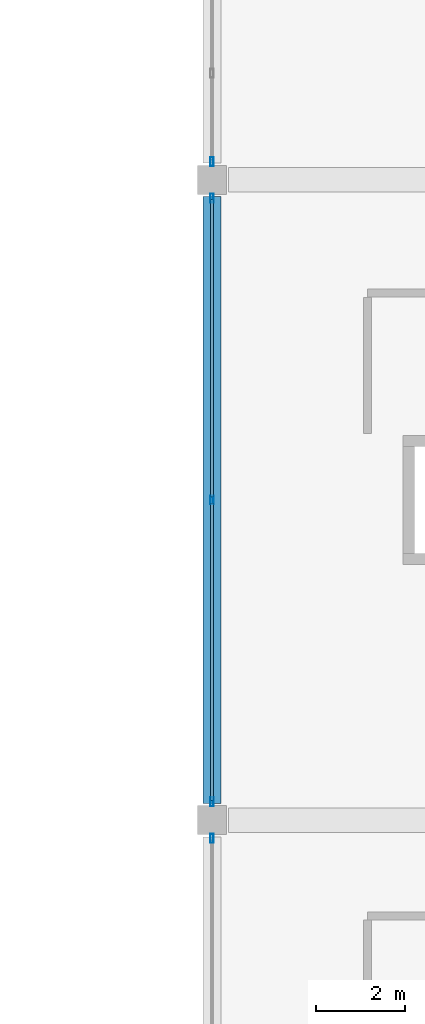
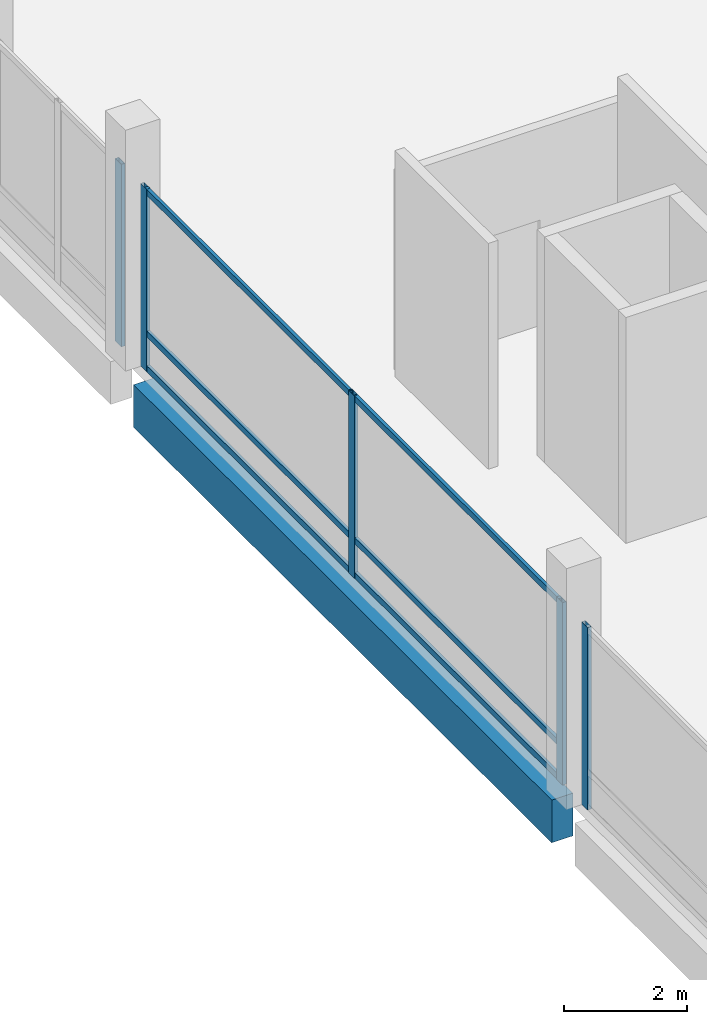
# One storey, part 104 of 220: 11 members, 1 beam, 3 elements without a shape of their own.
"""IFC4 building model written with IfcOpenShell, lengths in metres."""

from ifc_helpers import new_model, si_unit, direction, frame, origin, origin_2d, place, context, subcontext, project, spatial, rectangle, hollow_rectangle, extrude, material, material_profile, profile_set, type_object, element, aggregate, save


model = new_model("IFC4")

# Units and contexts
model_context = context("Model", 3, precision=1e-05, world=origin(), true_north=direction((0.0, 1.0)))
body_context = subcontext(model_context, "Body", "Model", "MODEL_VIEW")
ifc_project = project(units=[si_unit("LENGTHUNIT", "METRE"), si_unit("AREAUNIT", "SQUARE_METRE"), si_unit("VOLUMEUNIT", "CUBIC_METRE"), si_unit("PLANEANGLEUNIT", "RADIAN"), si_unit("MASSUNIT", "GRAM", prefix="KILO")], contexts=[model_context])

# Site, building, storey
site_placement = place(None, origin())
site = spatial("IfcSite", under=ifc_project, at=site_placement, CompositionType="ELEMENT")
building_placement = place(site_placement, origin())
building = spatial("IfcBuilding", under=site, at=building_placement, Name="Cendralis Lancet Convention Centre", CompositionType="ELEMENT")
storey_placement = place(building_placement, frame((0.0, 0.0, 5.39990234375)))
storey = spatial("IfcBuildingStorey", under=building, at=storey_placement, Name="L01", CompositionType="ELEMENT", Elevation=5.39990234375)

# Curtain wall, member
ifc_material_1 = material(Name="Anodised bronze architectural aluminium", Category="aluminium")
curtain_wall_type = type_object("IfcCurtainWallType", Name="ARC-CW-PL01", PredefinedType="USERDEFINED", material=ifc_material_1)
curtain_wall_1_placement = place(storey_placement, origin())
curtain_wall_1 = element("IfcCurtainWall", 1, at=curtain_wall_1_placement, inside=storey, type_object=curtain_wall_type, Name="L01 Curtain Wall CW-PL1 #117", ObjectType="CURTAIN WALL", PredefinedType="USERDEFINED")
ifc_material_profile_1 = material_profile(ifc_material_1, hollow_rectangle(XDim=0.070068359375, YDim=0.199951171875, WallThickness=0.0048828125, at=origin_2d()), Name="AL-MULL 70x200x5.0")
ifc_profile_set_1 = profile_set([ifc_material_profile_1], Name="Anodised bronze architectural aluminium")
member_type_1 = type_object("IfcMemberType", Name="ARC-CW-ML02", PredefinedType="MULLION", material=ifc_profile_set_1)
member_1_placement = place(storey_placement, frame((139.199951171875, 64.389892578125, 0.0), z_axis=(0.0, 0.0, 1.0), x_axis=(1.0, 0.0, 0.0)))
member_1 = element("IfcMember", 2, at=member_1_placement, type_object=member_type_1, Name="Mullion CW2-CW-PL1-L01-117-M2", PredefinedType="MULLION", context=body_context, shape_type="SweptSolid", body=[
    extrude(hollow_rectangle(XDim=0.070068359375, YDim=0.199951171875, WallThickness=0.0048828125, at=origin_2d()), origin(), (0.0, 0.0, 1.0), 3.635009765625),
])
aggregate(curtain_wall_1, [member_1])

# Curtain wall, members
curtain_wall_2_placement = place(storey_placement, origin())
curtain_wall_2 = element("IfcCurtainWall", 3, at=curtain_wall_2_placement, inside=storey, type_object=curtain_wall_type, Name="L01 Curtain Wall CW-PL1 #118", ObjectType="CURTAIN WALL", PredefinedType="USERDEFINED")
member_2_placement = place(storey_placement, frame((139.199951171875, 65.2099609375, 0.0), z_axis=(0.0, 0.0, 1.0), x_axis=(1.0, 0.0, 0.0)))
member_2 = element("IfcMember", 4, at=member_2_placement, type_object=member_type_1, Name="Mullion CW2-CW-PL1-L01-118-M0", PredefinedType="MULLION", context=body_context, shape_type="SweptSolid", body=[
    extrude(hollow_rectangle(XDim=0.070068359375, YDim=0.199951171875, WallThickness=0.0048828125, at=origin_2d()), origin(), (0.0, 0.0, 1.0), 3.635009765625),
])
member_3_placement = place(storey_placement, frame((139.199951171875, 72.0, 0.0), z_axis=(0.0, 0.0, 1.0), x_axis=(1.0, 0.0, 0.0)))
member_3 = element("IfcMember", 5, at=member_3_placement, type_object=member_type_1, Name="Mullion CW2-CW-PL1-L01-118-M1", PredefinedType="MULLION", context=body_context, shape_type="SweptSolid", body=[
    extrude(hollow_rectangle(XDim=0.070068359375, YDim=0.199951171875, WallThickness=0.0048828125, at=origin_2d()), origin(), (0.0, 0.0, 1.0), 3.635009765625),
])
member_4_placement = place(storey_placement, frame((139.199951171875, 78.7900390625, 0.0), z_axis=(0.0, 0.0, 1.0), x_axis=(1.0, 0.0, 0.0)))
member_4 = element("IfcMember", 6, at=member_4_placement, type_object=member_type_1, Name="Mullion CW2-CW-PL1-L01-118-M2", PredefinedType="MULLION", context=body_context, shape_type="SweptSolid", body=[
    extrude(hollow_rectangle(XDim=0.070068359375, YDim=0.199951171875, WallThickness=0.0048828125, at=origin_2d()), origin(), (0.0, 0.0, 1.0), 3.635009765625),
])

# Curtain wall, member
curtain_wall_3_placement = place(storey_placement, origin())
curtain_wall_3 = element("IfcCurtainWall", 7, at=curtain_wall_3_placement, inside=storey, type_object=curtain_wall_type, Name="L01 Curtain Wall CW-PL1 #119", ObjectType="CURTAIN WALL", PredefinedType="USERDEFINED")
member_5_placement = place(storey_placement, frame((139.199951171875, 79.610107421875, 0.0), z_axis=(0.0, 0.0, 1.0), x_axis=(1.0, 0.0, 0.0)))
member_5 = element("IfcMember", 8, at=member_5_placement, type_object=member_type_1, Name="Mullion CW2-CW-PL1-L01-119-M0", PredefinedType="MULLION", context=body_context, shape_type="SweptSolid", body=[
    extrude(hollow_rectangle(XDim=0.070068359375, YDim=0.199951171875, WallThickness=0.0048828125, at=origin_2d()), origin(), (0.0, 0.0, 1.0), 3.635009765625),
])
aggregate(curtain_wall_3, [member_5])

# Member
ifc_material_profile_2 = material_profile(ifc_material_1, hollow_rectangle(XDim=0.06005859375, YDim=0.1201171875, WallThickness=0.00390625, at=origin_2d()), Name="AL-TRAN 60x120x4.0")
ifc_profile_set_2 = profile_set([ifc_material_profile_2], Name="Anodised bronze architectural aluminium")
member_type_2 = type_object("IfcMemberType", Name="ARC-CW-TR01", PredefinedType="USERDEFINED", material=ifc_profile_set_2)
member_6_placement = place(storey_placement, frame((139.199951171875, 65.2451171875, 0.06005859375), z_axis=(0.0, 1.0, 0.0), x_axis=(-1.0, 0.0, 0.0)))
member_6 = element("IfcMember", 9, at=member_6_placement, type_object=member_type_2, Name="Transom CW2-CW-PL1-L01-118-T0BOT", ObjectType="TRANSOM", PredefinedType="USERDEFINED", context=body_context, shape_type="SweptSolid", body=[
    extrude(hollow_rectangle(XDim=0.06005859375, YDim=0.1201171875, WallThickness=0.00390625, at=origin_2d()), origin(), (0.0, 0.0, 1.0), 6.684814453125),
])

member_7_placement = place(storey_placement, frame((139.199951171875, 65.2451171875, 0.75), z_axis=(0.0, 1.0, 0.0), x_axis=(-1.0, 0.0, 0.0)))
member_7 = element("IfcMember", 10, at=member_7_placement, type_object=member_type_2, Name="Transom CW2-CW-PL1-L01-118-T0MID", ObjectType="TRANSOM", PredefinedType="USERDEFINED", context=body_context, shape_type="SweptSolid", body=[
    extrude(hollow_rectangle(XDim=0.06005859375, YDim=0.1201171875, WallThickness=0.00390625, at=origin_2d()), origin(), (0.0, 0.0, 1.0), 6.684814453125),
])

member_8_placement = place(storey_placement, frame((139.199951171875, 65.2451171875, 3.5751953125), z_axis=(0.0, 1.0, 0.0), x_axis=(-1.0, 0.0, 0.0)))
member_8 = element("IfcMember", 11, at=member_8_placement, type_object=member_type_2, Name="Transom CW2-CW-PL1-L01-118-T0TOP", ObjectType="TRANSOM", PredefinedType="USERDEFINED", context=body_context, shape_type="SweptSolid", body=[
    extrude(hollow_rectangle(XDim=0.06005859375, YDim=0.1201171875, WallThickness=0.00390625, at=origin_2d()), origin(), (0.0, 0.0, 1.0), 6.684814453125),
])

member_9_placement = place(storey_placement, frame((139.199951171875, 72.070068359375, 0.06005859375), z_axis=(0.0, 1.0, 0.0), x_axis=(-1.0, 0.0, 0.0)))
member_9 = element("IfcMember", 12, at=member_9_placement, type_object=member_type_2, Name="Transom CW2-CW-PL1-L01-118-T1BOT", ObjectType="TRANSOM", PredefinedType="USERDEFINED", context=body_context, shape_type="SweptSolid", body=[
    extrude(hollow_rectangle(XDim=0.06005859375, YDim=0.1201171875, WallThickness=0.00390625, at=origin_2d()), origin(), (0.0, 0.0, 1.0), 6.684814453125),
])

member_10_placement = place(storey_placement, frame((139.199951171875, 72.070068359375, 0.75), z_axis=(0.0, 1.0, 0.0), x_axis=(-1.0, 0.0, 0.0)))
member_10 = element("IfcMember", 13, at=member_10_placement, type_object=member_type_2, Name="Transom CW2-CW-PL1-L01-118-T1MID", ObjectType="TRANSOM", PredefinedType="USERDEFINED", context=body_context, shape_type="SweptSolid", body=[
    extrude(hollow_rectangle(XDim=0.06005859375, YDim=0.1201171875, WallThickness=0.00390625, at=origin_2d()), origin(), (0.0, 0.0, 1.0), 6.684814453125),
])

member_11_placement = place(storey_placement, frame((139.199951171875, 72.070068359375, 3.5751953125), z_axis=(0.0, 1.0, 0.0), x_axis=(-1.0, 0.0, 0.0)))
member_11 = element("IfcMember", 14, at=member_11_placement, type_object=member_type_2, Name="Transom CW2-CW-PL1-L01-118-T1TOP", ObjectType="TRANSOM", PredefinedType="USERDEFINED", context=body_context, shape_type="SweptSolid", body=[
    extrude(hollow_rectangle(XDim=0.06005859375, YDim=0.1201171875, WallThickness=0.00390625, at=origin_2d()), origin(), (0.0, 0.0, 1.0), 6.684814453125),
])

aggregate(curtain_wall_2, [member_2, member_3, member_4, member_6, member_7, member_8, member_9, member_10, member_11])

# Beam
ifc_material_2 = material(Name="Concrete G40 (C40/50)", Category="concrete")
ifc_material_profile_3 = material_profile(ifc_material_2, rectangle(XDim=0.39990234375, YDim=0.85009765625, at=origin_2d()), Name="RCB 400x850")
ifc_profile_set_3 = profile_set([ifc_material_profile_3], Name="Concrete G40 (C40/50)")
beam_type = type_object("IfcBeamType", Name="STR-SP-SP02", PredefinedType="SPANDREL", material=ifc_profile_set_3)
beam_placement = place(storey_placement, frame((139.199951171875, 65.175048828125, -0.704833984375), z_axis=(0.0, 1.0, 0.0), x_axis=(-1.0, 0.0, 0.0)))
element("IfcBeam", 15, at=beam_placement, inside=storey, type_object=beam_type, Name="L01 Beam SP02 #1424", PredefinedType="SPANDREL", context=body_context, shape_type="SweptSolid", body=[
    extrude(rectangle(XDim=0.39990234375, YDim=0.85009765625, at=origin_2d()), origin(), (0.0, 0.0, 1.0), 13.64990234375),
])

save(model, "model.ifc")
